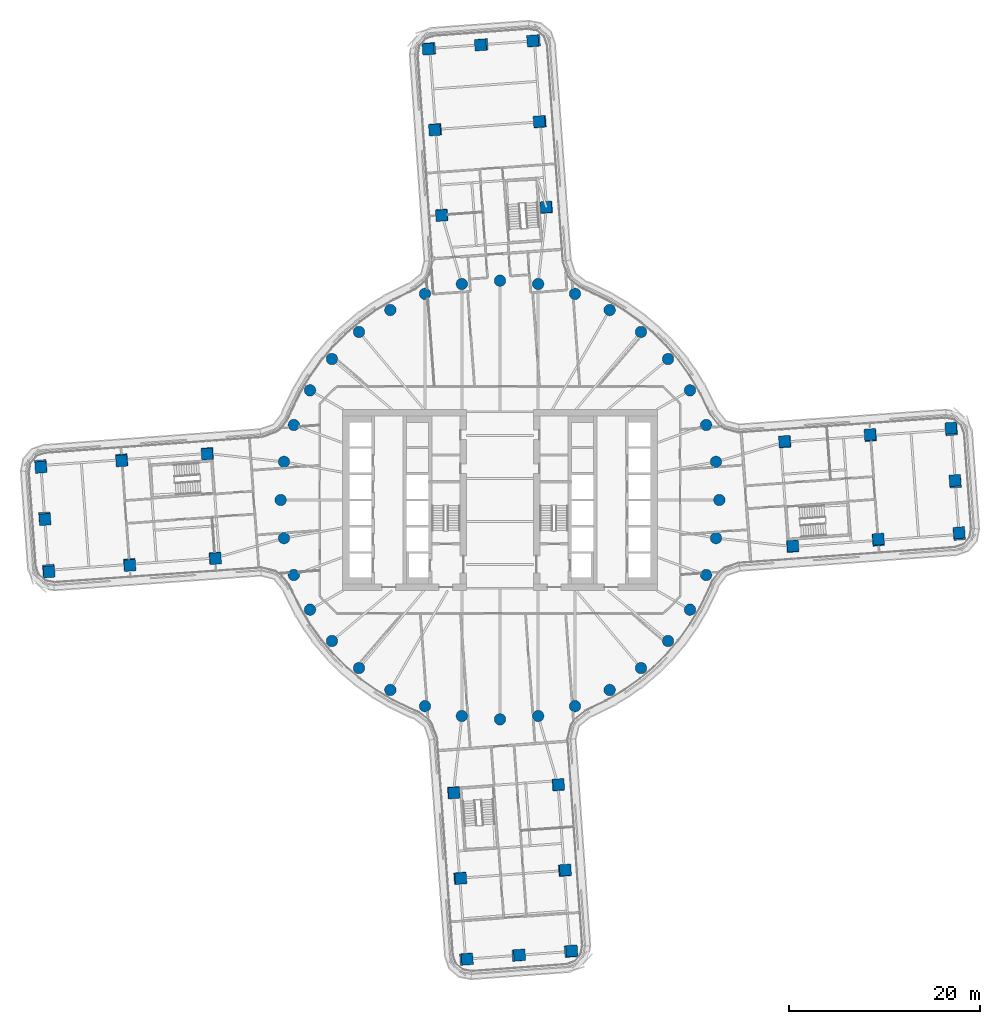
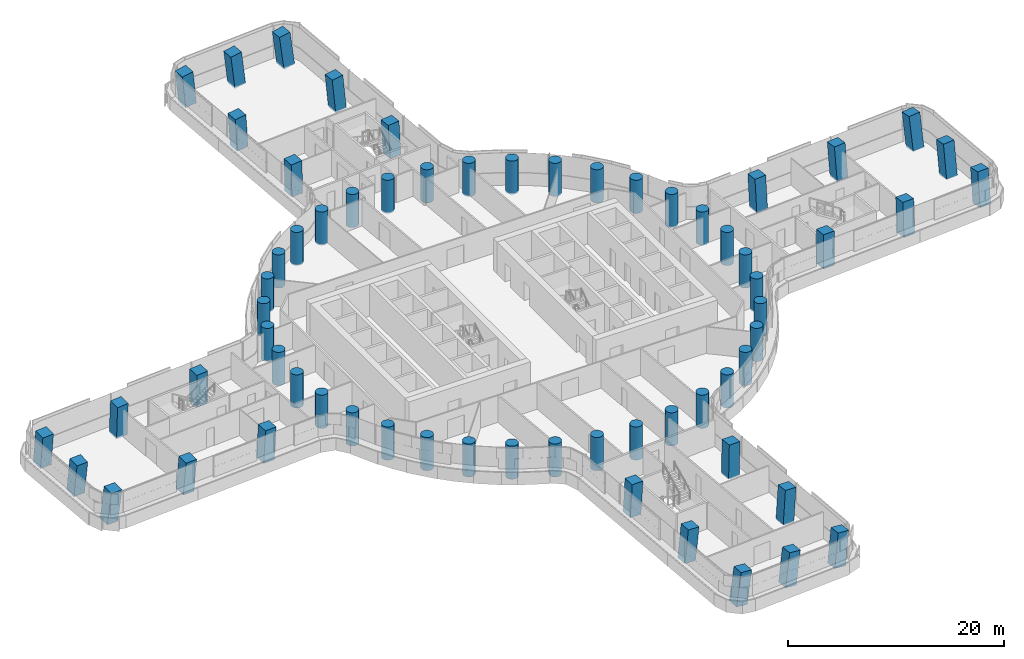
# One storey, part 1 of 31: 64 columns.
"""IFC4 building model written with IfcOpenShell, lengths in metres."""

from ifc_helpers import new_model, si_unit, direction, frame, origin, origin_2d, place, context, subcontext, project, spatial, rectangle, circle, extrude, material, material_profile, profile_set, type_object, element, save


model = new_model("IFC4")

# Units and contexts
model_context = context("Model", 3, precision=1e-05, world=origin(), true_north=direction((0.0, 1.0)))
body_context = subcontext(model_context, "Body", "Model", "MODEL_VIEW")
ifc_project = project(units=[si_unit("LENGTHUNIT", "METRE"), si_unit("AREAUNIT", "SQUARE_METRE"), si_unit("VOLUMEUNIT", "CUBIC_METRE"), si_unit("PLANEANGLEUNIT", "RADIAN"), si_unit("MASSUNIT", "GRAM", prefix="KILO")], contexts=[model_context])

# Site, building, storey
site_placement = place(None, origin())
site = spatial("IfcSite", under=ifc_project, at=site_placement, CompositionType="ELEMENT")
building_placement = place(site_placement, origin())
building = spatial("IfcBuilding", under=site, at=building_placement, Name="Tamarind Cross Interchange Tower", CompositionType="ELEMENT")
storey_placement = place(building_placement, frame((0.0, 0.0, 49.0)))
storey = spatial("IfcBuildingStorey", under=building, at=storey_placement, Name="L10", CompositionType="ELEMENT", Elevation=49.0)

# Columns
ifc_material = material(Name="Concrete C70", Category="concrete")
ifc_material_profile_1 = material_profile(ifc_material, rectangle(XDim=1.199951171875, YDim=1.199951171875, at=origin_2d()), Name="RC 1200x1200")
ifc_profile_set_1 = profile_set([ifc_material_profile_1], Name="Concrete C70")
column_type_1 = type_object("IfcColumnType", Name="Column RC 1200x1200 Concrete C70", PredefinedType="COLUMN", material=ifc_profile_set_1)
for number, where, z_axis, x_axis, name in (
    (1, (38.85302734375, 6.746337890625, -0.138427734375), (-0.033362234549, 0.081328560098, 0.996128820293), (0.070890780672, -0.993980715684, 0.083527444974), "Column L10-036"),
    (2, (39.65478515625, -4.224365234375, -0.138427734375), (0.019731724221, 0.085677223592, 0.996127538228), (-0.997128823149, -0.071166822836, 0.025872637544), "Column L10-037"),
):
    element("IfcColumn", number, at=place(storey_placement, frame(where, z_axis=z_axis, x_axis=x_axis)), inside=storey, type_object=column_type_1, Name=name, PredefinedType="COLUMN", context=body_context, shape_type="SweptSolid", body=[
        extrude(rectangle(XDim=1.199951171875, YDim=1.199951171875, at=origin_2d()), origin(), (0.0, 0.0, 1.0), 3.761474609375),
    ])
for number, where, z_axis, x_axis, name in (
    (3, (29.876953125, 6.09033203125, -0.138671875), (-0.029869273028, 0.038003606641, 0.998831093034), (0.07112567316, -0.99666307758, 0.04004807618), "Column L10-038"),
    (4, (30.6787109375, -4.88037109375, -0.138671875), (0.023361759393, 0.042363524692, 0.998829094477), (-0.997091261509, -0.07151549765, 0.026354313105), "Column L10-039"),
):
    element("IfcColumn", number, at=place(storey_placement, frame(where, z_axis=z_axis, x_axis=x_axis)), inside=storey, type_object=column_type_1, Name=name, PredefinedType="COLUMN", context=body_context, shape_type="SweptSolid", body=[
        extrude(rectangle(XDim=1.199951171875, YDim=1.199951171875, at=origin_2d()), origin(), (0.0, 0.0, 1.0), 3.751708984375),
    ])
column_1_placement = place(storey_placement, frame((48.14501953125, -3.60400390625, -0.138671875), z_axis=(0.006075775814, 0.125329035138, 0.9920966273), x_axis=(-0.997304634835, -0.071785444437, 0.015176142579)))
element("IfcColumn", 5, at=column_1_placement, inside=storey, type_object=column_type_1, Name="Column L10-040", PredefinedType="COLUMN", context=body_context, shape_type="SweptSolid", body=[
    extrude(rectangle(XDim=1.199951171875, YDim=1.199951171875, at=origin_2d()), origin(), (0.0, 0.0, 1.0), 3.777099609375),
])
column_2_placement = place(storey_placement, frame((47.744140625, 1.88134765625, -0.138427734375), z_axis=(-0.020363333087, 0.123149681051, 0.992179162613), x_axis=(0.071476895403, -0.989666296828, 0.124304763976)))
element("IfcColumn", 6, at=column_2_placement, inside=storey, type_object=column_type_1, Name="Column L10-041", PredefinedType="COLUMN", context=body_context, shape_type="SweptSolid", body=[
    extrude(rectangle(XDim=1.199951171875, YDim=1.199951171875, at=origin_2d()), origin(), (0.0, 0.0, 1.0), 3.776611328125),
])
column_3_placement = place(storey_placement, frame((47.34326171875, 7.36669921875, -0.138427734375), z_axis=(-0.046776998196, 0.120948260528, 0.991556065341), x_axis=(0.069746096661, -0.989824579262, 0.124027352991)))
element("IfcColumn", 7, at=column_3_placement, inside=storey, type_object=column_type_1, Name="Column L10-042", PredefinedType="COLUMN", context=body_context, shape_type="SweptSolid", body=[
    extrude(rectangle(XDim=1.199951171875, YDim=1.199951171875, at=origin_2d()), origin(), (0.0, 0.0, 1.0), 3.77880859375),
])
for number, where, z_axis, x_axis, name in (
    (8, (-6.746337890625, 38.85302734375, -0.138427734375), (-0.081328560098, -0.033362234549, 0.996128820293), (0.993980715684, 0.070890780672, 0.083527444974), "Column L10-043"),
    (9, (4.224365234375, 39.65478515625, -0.138427734375), (-0.085677223592, 0.019731724221, 0.996127538228), (0.071166822836, -0.997128823149, 0.025872637544), "Column L10-044"),
):
    element("IfcColumn", number, at=place(storey_placement, frame(where, z_axis=z_axis, x_axis=x_axis)), inside=storey, type_object=column_type_1, Name=name, PredefinedType="COLUMN", context=body_context, shape_type="SweptSolid", body=[
        extrude(rectangle(XDim=1.199951171875, YDim=1.199951171875, at=origin_2d()), origin(), (0.0, 0.0, 1.0), 3.761474609375),
    ])
for number, where, z_axis, x_axis, name in (
    (10, (-6.09033203125, 29.876953125, -0.138671875), (-0.038003606641, -0.029869273028, 0.998831093034), (0.99666307758, 0.07112567316, 0.04004807618), "Column L10-045"),
    (11, (4.88037109375, 30.6787109375, -0.138671875), (-0.042363524692, 0.023361759393, 0.998829094477), (0.07151549765, -0.997091261509, 0.026354313105), "Column L10-046"),
):
    element("IfcColumn", number, at=place(storey_placement, frame(where, z_axis=z_axis, x_axis=x_axis)), inside=storey, type_object=column_type_1, Name=name, PredefinedType="COLUMN", context=body_context, shape_type="SweptSolid", body=[
        extrude(rectangle(XDim=1.199951171875, YDim=1.199951171875, at=origin_2d()), origin(), (0.0, 0.0, 1.0), 3.751708984375),
    ])
column_4_placement = place(storey_placement, frame((3.60400390625, 48.14501953125, -0.138671875), z_axis=(-0.125329035138, 0.006075775814, 0.9920966273), x_axis=(0.071785444437, -0.997304634835, 0.015176142579)))
element("IfcColumn", 12, at=column_4_placement, inside=storey, type_object=column_type_1, Name="Column L10-047", PredefinedType="COLUMN", context=body_context, shape_type="SweptSolid", body=[
    extrude(rectangle(XDim=1.199951171875, YDim=1.199951171875, at=origin_2d()), origin(), (0.0, 0.0, 1.0), 3.777099609375),
])
column_5_placement = place(storey_placement, frame((-1.88134765625, 47.744140625, -0.138427734375), z_axis=(-0.123149681051, -0.020363333087, 0.992179162613), x_axis=(0.989666296828, 0.071476895403, 0.124304763976)))
element("IfcColumn", 13, at=column_5_placement, inside=storey, type_object=column_type_1, Name="Column L10-048", PredefinedType="COLUMN", context=body_context, shape_type="SweptSolid", body=[
    extrude(rectangle(XDim=1.199951171875, YDim=1.199951171875, at=origin_2d()), origin(), (0.0, 0.0, 1.0), 3.776611328125),
])
column_6_placement = place(storey_placement, frame((-7.36669921875, 47.34326171875, -0.138427734375), z_axis=(-0.120948260528, -0.046776998196, 0.991556065341), x_axis=(0.989824579262, 0.069746096661, 0.124027352991)))
element("IfcColumn", 14, at=column_6_placement, inside=storey, type_object=column_type_1, Name="Column L10-049", PredefinedType="COLUMN", context=body_context, shape_type="SweptSolid", body=[
    extrude(rectangle(XDim=1.199951171875, YDim=1.199951171875, at=origin_2d()), origin(), (0.0, 0.0, 1.0), 3.77880859375),
])
for number, where, z_axis, x_axis, name in (
    (15, (-38.85302734375, -6.746337890625, -0.138427734375), (0.033362234549, -0.081328560098, 0.996128820293), (-0.070890780672, 0.993980715684, 0.083527444974), "Column L10-050"),
    (16, (-39.65478515625, 4.224365234375, -0.138427734375), (-0.019731724221, -0.085677223592, 0.996127538228), (0.997128823149, 0.071166822836, 0.025872637544), "Column L10-051"),
):
    element("IfcColumn", number, at=place(storey_placement, frame(where, z_axis=z_axis, x_axis=x_axis)), inside=storey, type_object=column_type_1, Name=name, PredefinedType="COLUMN", context=body_context, shape_type="SweptSolid", body=[
        extrude(rectangle(XDim=1.199951171875, YDim=1.199951171875, at=origin_2d()), origin(), (0.0, 0.0, 1.0), 3.761474609375),
    ])
for number, where, z_axis, x_axis, name in (
    (17, (-29.876953125, -6.09033203125, -0.138671875), (0.029869273028, -0.038003606641, 0.998831093034), (-0.07112567316, 0.99666307758, 0.04004807618), "Column L10-052"),
    (18, (-30.6787109375, 4.88037109375, -0.138671875), (-0.023361759393, -0.042363524692, 0.998829094477), (0.997091261509, 0.07151549765, 0.026354313105), "Column L10-053"),
):
    element("IfcColumn", number, at=place(storey_placement, frame(where, z_axis=z_axis, x_axis=x_axis)), inside=storey, type_object=column_type_1, Name=name, PredefinedType="COLUMN", context=body_context, shape_type="SweptSolid", body=[
        extrude(rectangle(XDim=1.199951171875, YDim=1.199951171875, at=origin_2d()), origin(), (0.0, 0.0, 1.0), 3.751708984375),
    ])
column_7_placement = place(storey_placement, frame((-48.14501953125, 3.60400390625, -0.138671875), z_axis=(-0.006075775814, -0.125329035138, 0.9920966273), x_axis=(0.997304634835, 0.071785444437, 0.015176142579)))
element("IfcColumn", 19, at=column_7_placement, inside=storey, type_object=column_type_1, Name="Column L10-054", PredefinedType="COLUMN", context=body_context, shape_type="SweptSolid", body=[
    extrude(rectangle(XDim=1.199951171875, YDim=1.199951171875, at=origin_2d()), origin(), (0.0, 0.0, 1.0), 3.777099609375),
])
column_8_placement = place(storey_placement, frame((-47.744140625, -1.88134765625, -0.138427734375), z_axis=(0.020363333087, -0.123149681051, 0.992179162613), x_axis=(-0.071476895403, 0.989666296828, 0.124304763976)))
element("IfcColumn", 20, at=column_8_placement, inside=storey, type_object=column_type_1, Name="Column L10-055", PredefinedType="COLUMN", context=body_context, shape_type="SweptSolid", body=[
    extrude(rectangle(XDim=1.199951171875, YDim=1.199951171875, at=origin_2d()), origin(), (0.0, 0.0, 1.0), 3.776611328125),
])
column_9_placement = place(storey_placement, frame((-47.34326171875, -7.36669921875, -0.138427734375), z_axis=(0.046776998196, -0.120948260528, 0.991556065341), x_axis=(-0.069746096661, 0.989824579262, 0.124027352991)))
element("IfcColumn", 21, at=column_9_placement, inside=storey, type_object=column_type_1, Name="Column L10-056", PredefinedType="COLUMN", context=body_context, shape_type="SweptSolid", body=[
    extrude(rectangle(XDim=1.199951171875, YDim=1.199951171875, at=origin_2d()), origin(), (0.0, 0.0, 1.0), 3.77880859375),
])
for number, where, z_axis, x_axis, name in (
    (22, (6.746337890625, -38.85302734375, -0.138427734375), (0.081328560098, 0.033362234549, 0.996128820293), (-0.993980715684, -0.070890780672, 0.083527444974), "Column L10-057"),
    (23, (-4.224365234375, -39.65478515625, -0.138427734375), (0.085677223592, -0.019731724221, 0.996127538228), (-0.071166822836, 0.997128823149, 0.025872637544), "Column L10-058"),
):
    element("IfcColumn", number, at=place(storey_placement, frame(where, z_axis=z_axis, x_axis=x_axis)), inside=storey, type_object=column_type_1, Name=name, PredefinedType="COLUMN", context=body_context, shape_type="SweptSolid", body=[
        extrude(rectangle(XDim=1.199951171875, YDim=1.199951171875, at=origin_2d()), origin(), (0.0, 0.0, 1.0), 3.761474609375),
    ])
for number, where, z_axis, x_axis, name in (
    (24, (6.09033203125, -29.876953125, -0.138671875), (0.038003606641, 0.029869273028, 0.998831093034), (-0.99666307758, -0.07112567316, 0.04004807618), "Column L10-059"),
    (25, (-4.88037109375, -30.6787109375, -0.138671875), (0.042363524692, -0.023361759393, 0.998829094477), (-0.07151549765, 0.997091261509, 0.026354313105), "Column L10-060"),
):
    element("IfcColumn", number, at=place(storey_placement, frame(where, z_axis=z_axis, x_axis=x_axis)), inside=storey, type_object=column_type_1, Name=name, PredefinedType="COLUMN", context=body_context, shape_type="SweptSolid", body=[
        extrude(rectangle(XDim=1.199951171875, YDim=1.199951171875, at=origin_2d()), origin(), (0.0, 0.0, 1.0), 3.751708984375),
    ])
column_10_placement = place(storey_placement, frame((-3.60400390625, -48.14501953125, -0.138671875), z_axis=(0.125329035138, -0.006075775814, 0.9920966273), x_axis=(-0.071785444437, 0.997304634835, 0.015176142579)))
element("IfcColumn", 26, at=column_10_placement, inside=storey, type_object=column_type_1, Name="Column L10-061", PredefinedType="COLUMN", context=body_context, shape_type="SweptSolid", body=[
    extrude(rectangle(XDim=1.199951171875, YDim=1.199951171875, at=origin_2d()), origin(), (0.0, 0.0, 1.0), 3.777099609375),
])
column_11_placement = place(storey_placement, frame((1.88134765625, -47.744140625, -0.138427734375), z_axis=(0.123149681051, 0.020363333087, 0.992179162613), x_axis=(-0.989666296828, -0.071476895403, 0.124304763976)))
element("IfcColumn", 27, at=column_11_placement, inside=storey, type_object=column_type_1, Name="Column L10-062", PredefinedType="COLUMN", context=body_context, shape_type="SweptSolid", body=[
    extrude(rectangle(XDim=1.199951171875, YDim=1.199951171875, at=origin_2d()), origin(), (0.0, 0.0, 1.0), 3.776611328125),
])
column_12_placement = place(storey_placement, frame((7.36669921875, -47.34326171875, -0.138427734375), z_axis=(0.120948260528, 0.046776998196, 0.991556065341), x_axis=(-0.989824579262, -0.069746096661, 0.124027352991)))
element("IfcColumn", 28, at=column_12_placement, inside=storey, type_object=column_type_1, Name="Column L10-063", PredefinedType="COLUMN", context=body_context, shape_type="SweptSolid", body=[
    extrude(rectangle(XDim=1.199951171875, YDim=1.199951171875, at=origin_2d()), origin(), (0.0, 0.0, 1.0), 3.77880859375),
])
ifc_material_profile_2 = material_profile(ifc_material, circle(Radius=0.60009765625, at=origin_2d()), Name="RC D1200")
ifc_profile_set_2 = profile_set([ifc_material_profile_2], Name="Concrete C70")
column_type_2 = type_object("IfcColumnType", Name="Column RC D1200 Concrete C70", PredefinedType="COLUMN", material=ifc_profile_set_2)
for number, where, z_axis, x_axis, name in (
    (29, (23.0, 0.0, -0.139892578125), (0.0, 0.0, 1.0), (1.0, 0.0, 0.0), "Column L10-000"),
    (30, (22.650634765625, 3.993896484375, -0.139892578125), (0.0, 0.0, 1.0), (1.0, 0.0, 0.0), "Column L10-001"),
    (31, (21.613037109375, 7.866455078125, -0.139892578125), (0.0, 0.0, 1.0), (1.0, 0.0, 0.0), "Column L10-002"),
    (32, (19.918701171875, 11.5, -0.139892578125), (0.0, 0.0, 1.0), (1.0, 0.0, 0.0), "Column L10-003"),
    (33, (17.619140625, 14.7841796875, -0.139892578125), (0.0, 0.0, 1.0), (1.0, 0.0, 0.0), "Column L10-004"),
    (34, (14.7841796875, 17.619140625, -0.139892578125), (0.0, 0.0, 1.0), (1.0, 0.0, 0.0), "Column L10-005"),
    (35, (11.5, 19.918701171875, -0.139892578125), (0.0, 0.0, 1.0), (1.0, 0.0, 0.0), "Column L10-006"),
    (36, (7.866455078125, 21.613037109375, -0.139892578125), (0.0, 0.0, 1.0), (1.0, 0.0, 0.0), "Column L10-007"),
    (37, (3.993896484375, 22.650634765625, -0.139892578125), (0.0, 0.0, 1.0), (1.0, 0.0, 0.0), "Column L10-008"),
    (38, (0.0, 23.0, -0.139892578125), (0.0, 0.0, 1.0), (1.0, 0.0, 0.0), "Column L10-009"),
    (39, (-3.993896484375, 22.650634765625, -0.139892578125), (0.0, 0.0, 1.0), (1.0, 0.0, 0.0), "Column L10-010"),
    (40, (-7.866455078125, 21.613037109375, -0.139892578125), (0.0, 0.0, 1.0), (1.0, 0.0, 0.0), "Column L10-011"),
    (41, (-11.5, 19.918701171875, -0.139892578125), (0.0, 0.0, 1.0), (1.0, 0.0, 0.0), "Column L10-012"),
    (42, (-14.7841796875, 17.619140625, -0.139892578125), (0.0, 0.0, 1.0), (1.0, 0.0, 0.0), "Column L10-013"),
    (43, (-17.619140625, 14.7841796875, -0.139892578125), (0.0, 0.0, 1.0), (1.0, 0.0, 0.0), "Column L10-014"),
    (44, (-19.918701171875, 11.5, -0.139892578125), (0.0, 0.0, 1.0), (1.0, 0.0, 0.0), "Column L10-015"),
    (45, (-21.613037109375, 7.866455078125, -0.139892578125), (0.0, 0.0, 1.0), (1.0, 0.0, 0.0), "Column L10-016"),
    (46, (-22.650634765625, 3.993896484375, -0.139892578125), (0.0, 0.0, 1.0), (1.0, 0.0, 0.0), "Column L10-017"),
    (47, (-23.0, 0.0, -0.139892578125), (0.0, 0.0, 1.0), (1.0, 0.0, 0.0), "Column L10-018"),
    (48, (-22.650634765625, -3.993896484375, -0.139892578125), (0.0, 0.0, 1.0), (1.0, 0.0, 0.0), "Column L10-019"),
    (49, (-21.613037109375, -7.866455078125, -0.139892578125), (0.0, 0.0, 1.0), (1.0, 0.0, 0.0), "Column L10-020"),
    (50, (-19.918701171875, -11.5, -0.139892578125), (0.0, 0.0, 1.0), (1.0, 0.0, 0.0), "Column L10-021"),
    (51, (-17.619140625, -14.7841796875, -0.139892578125), (0.0, 0.0, 1.0), (1.0, 0.0, 0.0), "Column L10-022"),
    (52, (-14.7841796875, -17.619140625, -0.139892578125), (0.0, 0.0, 1.0), (1.0, 0.0, 0.0), "Column L10-023"),
    (53, (-11.5, -19.918701171875, -0.139892578125), (0.0, 0.0, 1.0), (1.0, 0.0, 0.0), "Column L10-024"),
    (54, (-7.866455078125, -21.613037109375, -0.139892578125), (0.0, 0.0, 1.0), (1.0, 0.0, 0.0), "Column L10-025"),
    (55, (-3.993896484375, -22.650634765625, -0.139892578125), (0.0, 0.0, 1.0), (1.0, 0.0, 0.0), "Column L10-026"),
    (56, (0.0, -23.0, -0.139892578125), (0.0, 0.0, 1.0), (1.0, 0.0, 0.0), "Column L10-027"),
    (57, (3.993896484375, -22.650634765625, -0.139892578125), (0.0, 0.0, 1.0), (1.0, 0.0, 0.0), "Column L10-028"),
    (58, (7.866455078125, -21.613037109375, -0.139892578125), (0.0, 0.0, 1.0), (1.0, 0.0, 0.0), "Column L10-029"),
    (59, (11.5, -19.918701171875, -0.139892578125), (0.0, 0.0, 1.0), (1.0, 0.0, 0.0), "Column L10-030"),
    (60, (14.7841796875, -17.619140625, -0.139892578125), (0.0, 0.0, 1.0), (1.0, 0.0, 0.0), "Column L10-031"),
    (61, (17.619140625, -14.7841796875, -0.139892578125), (0.0, 0.0, 1.0), (1.0, 0.0, 0.0), "Column L10-032"),
    (62, (19.918701171875, -11.5, -0.139892578125), (0.0, 0.0, 1.0), (1.0, 0.0, 0.0), "Column L10-033"),
    (63, (21.613037109375, -7.866455078125, -0.139892578125), (0.0, 0.0, 1.0), (1.0, 0.0, 0.0), "Column L10-034"),
    (64, (22.650634765625, -3.993896484375, -0.139892578125), (0.0, 0.0, 1.0), (1.0, 0.0, 0.0), "Column L10-035"),
):
    element("IfcColumn", number, at=place(storey_placement, frame(where, z_axis=z_axis, x_axis=x_axis)), inside=storey, type_object=column_type_2, Name=name, PredefinedType="COLUMN", context=body_context, shape_type="SweptSolid", body=[
        extrude(circle(Radius=0.60009765625, at=origin_2d()), origin(), (0.0, 0.0, 1.0), 3.75),
    ])

save(model, "model.ifc")
